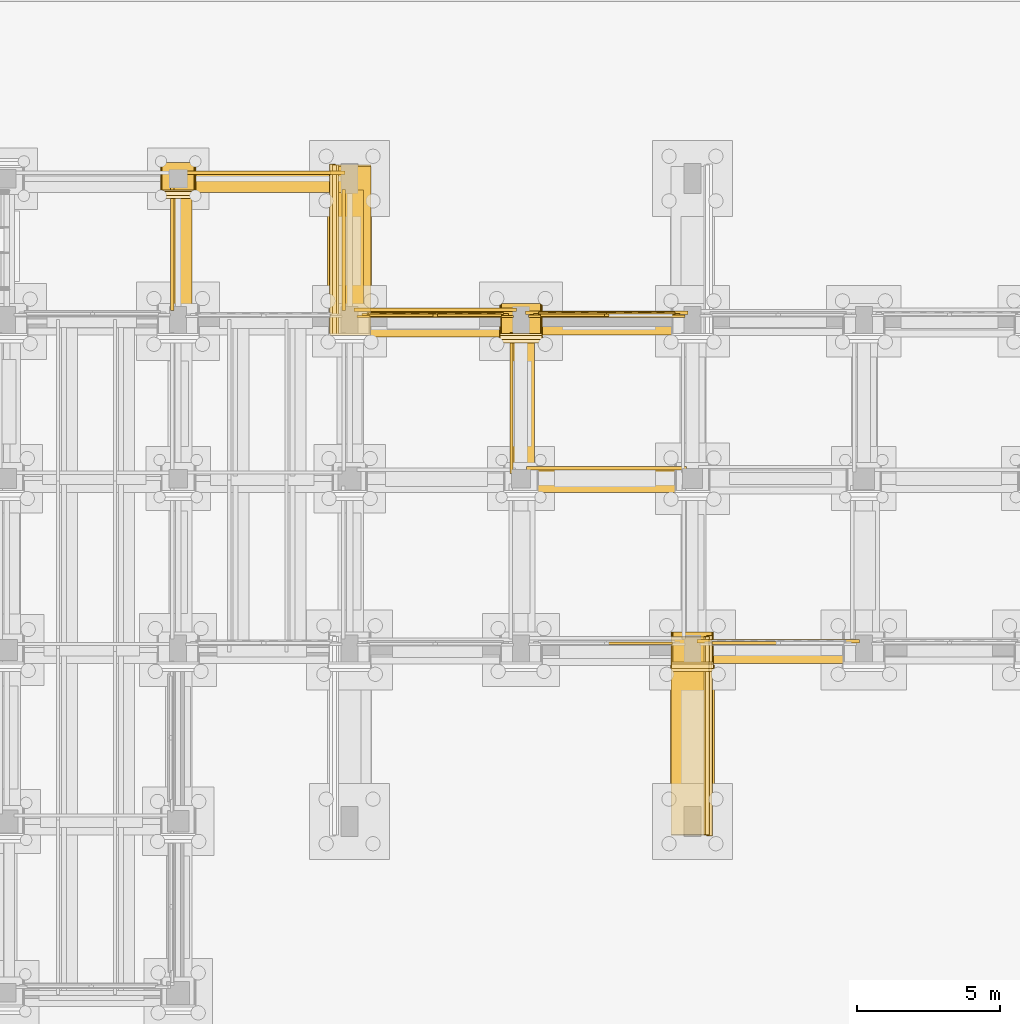
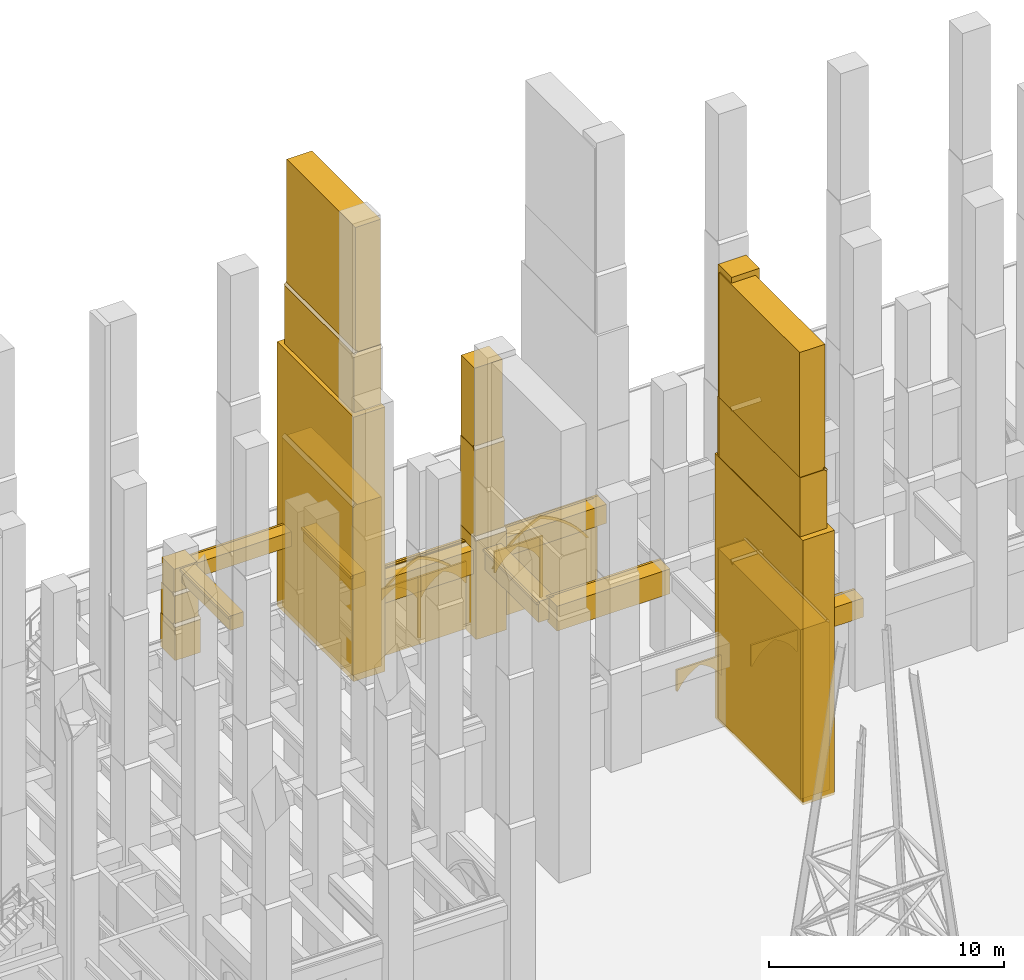
# One storey, part 115 of 135: 56 coverings.
"""IFC4 building model written with IfcOpenShell, lengths in metres."""

from ifc_helpers import new_model, si_unit, direction, frame, origin, origin_2d, place, context, subcontext, project, spatial, polyline, rectangle, outline, extrude, material, type_object, element, save


model = new_model("IFC4")

# Units and contexts
model_context = context("Model", 3, precision=1e-05, world=origin(), true_north=direction((0.0, 1.0)))
body_context = subcontext(model_context, "Body", "Model", "MODEL_VIEW")
ifc_project = project(units=[si_unit("LENGTHUNIT", "METRE"), si_unit("AREAUNIT", "SQUARE_METRE"), si_unit("VOLUMEUNIT", "CUBIC_METRE"), si_unit("PLANEANGLEUNIT", "RADIAN"), si_unit("MASSUNIT", "GRAM", prefix="KILO")], contexts=[model_context])

# Site, building, storey
site_placement = place(None, origin())
site = spatial("IfcSite", under=ifc_project, at=site_placement, CompositionType="ELEMENT")
building_placement = place(site_placement, origin())
building = spatial("IfcBuilding", under=site, at=building_placement, Name="Cumevento Cable Car Station", CompositionType="ELEMENT")
storey_placement = place(building_placement, origin())
storey = spatial("IfcBuildingStorey", under=building, at=storey_placement, Name="L01", CompositionType="ELEMENT", Elevation=0.0)

# Coverings
ifc_material = material(Name="Gnaisse Facoidal Stone Ashlar 85 MPa", Category="masonry")
covering_type = type_object("IfcCoveringType", Name="Gnaisse Ashlar Cladding CV-CL01", PredefinedType="CLADDING", material=ifc_material)
covering_1_placement = place(storey_placement, frame((82.0, 61.43994140625, -0.06005859375), z_axis=(0.0, 0.0, 1.0), x_axis=(1.0, 0.0, 0.0)))
element("IfcCovering", 1, at=covering_1_placement, inside=storey, type_object=covering_type, Name="Stepped Gothic Stone Buttress Tier 1 bt:82.0:61.5", PredefinedType="CLADDING", context=body_context, shape_type="SweptSolid", body=[
    extrude(rectangle(XDim=1.239990234375, YDim=1.239990234375, at=origin_2d()), origin(), (0.0, 0.0, 1.0), 1.755615234375),
])
covering_2_placement = place(storey_placement, frame((81.360107421875, 60.800048828125, 1.675537109375), z_axis=(0.0, -0.714474823669, 0.699661151089), x_axis=(1.0, 0.0, 0.0)))
element("IfcCovering", 2, at=covering_2_placement, inside=storey, type_object=covering_type, Name="Gothic Buttress Sloped Stone Weathering 1 bt:82.0:61.5", PredefinedType="CLADDING", context=body_context, shape_type="SweptSolid", body=[
    extrude(outline(polyline([(0.0, 0.0), (1.27978515625, 0.0), (1.27978515625, 0.21424991728737658), (0.0, 0.21424991728737658), (0.0, 0.0)])), origin(), (0.0, 0.0, -1.0), 0.090087890625),
])
covering_3_placement = place(storey_placement, frame((82.0, 61.489990234375, 1.603271484375), z_axis=(0.0, 0.0, 1.0), x_axis=(1.0, 0.0, 0.0)))
element("IfcCovering", 3, at=covering_3_placement, inside=storey, type_object=covering_type, Name="Stepped Gothic Stone Buttress Tier 2 bt:82.0:61.5", PredefinedType="CLADDING", context=body_context, shape_type="SweptSolid", body=[
    extrude(rectangle(XDim=1.179931640625, YDim=1.139892578125, at=origin_2d()), origin(), (0.0, 0.0, 1.0), 1.6630859375),
])
covering_4_placement = place(storey_placement, frame((81.389892578125, 60.89990234375, 3.246337890625), z_axis=(0.0, -0.715574205881, 0.698536724788), x_axis=(1.0, 0.0, 0.0)))
element("IfcCovering", 4, at=covering_4_placement, inside=storey, type_object=covering_type, Name="Gothic Buttress Sloped Stone Weathering 2 bt:82.0:61.5", PredefinedType="CLADDING", context=body_context, shape_type="SweptSolid", body=[
    extrude(outline(polyline([(0.0, 0.0), (1.22021484375, 0.0), (1.22021484375, 0.2006146760464928), (0.0, 0.2006146760464928), (0.0, 0.0)])), origin(), (0.0, 0.0, -1.0), 0.090087890625),
])
covering_5_placement = place(storey_placement, frame((82.0, 61.534912109375, 3.173828125), z_axis=(0.0, 0.0, 1.0), x_axis=(1.0, 0.0, 0.0)))
element("IfcCovering", 5, at=covering_5_placement, inside=storey, type_object=covering_type, Name="Stepped Gothic Stone Buttress Tier 3 bt:82.0:61.5", PredefinedType="CLADDING", context=body_context, shape_type="SweptSolid", body=[
    extrude(rectangle(XDim=1.1201171875, YDim=1.050048828125, at=origin_2d()), origin(), (0.0, 0.0, 1.0), 1.385986328125),
])
covering_6_placement = place(storey_placement, frame((94.0, 56.4423828125, -0.06005859375), z_axis=(0.0, 0.0, 1.0), x_axis=(1.0, 0.0, 0.0)))
element("IfcCovering", 6, at=covering_6_placement, inside=storey, type_object=covering_type, Name="Stepped Gothic Stone Buttress Tier 1 bt:94.0:56.5", PredefinedType="CLADDING", context=body_context, shape_type="SweptSolid", body=[
    extrude(rectangle(XDim=1.489990234375, YDim=1.364990234375, at=origin_2d()), origin(), (0.0, 0.0, 1.0), 5.175537109375),
])
covering_7_placement = place(storey_placement, frame((93.235107421875, 55.739990234375, 5.095703125), z_axis=(0.0, -0.711135781079, 0.703054692658), x_axis=(1.0, 0.0, 0.0)))
element("IfcCovering", 7, at=covering_7_placement, inside=storey, type_object=covering_type, Name="Gothic Buttress Sloped Stone Weathering 1 bt:94.0:56.5", PredefinedType="CLADDING", context=body_context, shape_type="SweptSolid", body=[
    extrude(outline(polyline([(0.0, 0.0), (1.52978515625, 0.0), (1.52978515625, 0.24169083397703695), (0.0, 0.24169083397703695), (0.0, 0.0)])), origin(), (0.0, 0.0, -1.0), 0.090087890625),
])
covering_8_placement = place(storey_placement, frame((94.0, 56.50244140625, 4.84326171875), z_axis=(0.0, 0.0, 1.0), x_axis=(1.0, 0.0, 0.0)))
element("IfcCovering", 8, at=covering_8_placement, inside=storey, type_object=covering_type, Name="Stepped Gothic Stone Buttress Tier 2 bt:94.0:56.5", PredefinedType="CLADDING", context=body_context, shape_type="SweptSolid", body=[
    extrude(rectangle(XDim=1.429931640625, YDim=1.2451171875, at=origin_2d()), origin(), (0.0, 0.0, 1.0), 4.9033203125),
])
covering_9_placement = place(storey_placement, frame((93.264892578125, 55.860107421875, 9.726318359375), z_axis=(0.0, -0.714474823669, 0.699661151089), x_axis=(1.0, 0.0, 0.0)))
element("IfcCovering", 9, at=covering_9_placement, inside=storey, type_object=covering_type, Name="Gothic Buttress Sloped Stone Weathering 2 bt:94.0:56.5", PredefinedType="CLADDING", context=body_context, shape_type="SweptSolid", body=[
    extrude(outline(polyline([(0.0, 0.0), (1.47021484375, 0.0), (1.47021484375, 0.21424991728737658), (0.0, 0.21424991728737658), (0.0, 0.0)])), origin(), (0.0, 0.0, -1.0), 0.090087890625),
])
covering_10_placement = place(storey_placement, frame((94.0, 56.552490234375, 9.47412109375), z_axis=(0.0, 0.0, 1.0), x_axis=(1.0, 0.0, 0.0)))
element("IfcCovering", 10, at=covering_10_placement, inside=storey, type_object=covering_type, Name="Stepped Gothic Stone Buttress Tier 3 bt:94.0:56.5", PredefinedType="CLADDING", context=body_context, shape_type="SweptSolid", body=[
    extrude(rectangle(XDim=1.3701171875, YDim=1.14501953125, at=origin_2d()), origin(), (0.0, 0.0, 1.0), 4.426025390625),
])
covering_11_placement = place(storey_placement, frame((100.0, 44.9423828125, -0.06005859375), z_axis=(0.0, 0.0, 1.0), x_axis=(1.0, 0.0, 0.0)))
element("IfcCovering", 11, at=covering_11_placement, inside=storey, type_object=covering_type, Name="Stepped Gothic Stone Buttress Tier 1 bt:100.0:45.0", PredefinedType="CLADDING", context=body_context, shape_type="SweptSolid", body=[
    extrude(rectangle(XDim=1.489990234375, YDim=1.364990234375, at=origin_2d()), origin(), (0.0, 0.0, 1.0), 8.823486328125),
])
covering_12_placement = place(storey_placement, frame((99.235107421875, 44.239990234375, 8.74365234375), z_axis=(0.0, -0.711135781079, 0.703054692658), x_axis=(1.0, 0.0, 0.0)))
element("IfcCovering", 12, at=covering_12_placement, inside=storey, type_object=covering_type, Name="Gothic Buttress Sloped Stone Weathering 1 bt:100.0:45.0", PredefinedType="CLADDING", context=body_context, shape_type="SweptSolid", body=[
    extrude(outline(polyline([(0.0, 0.0), (1.52978515625, 0.0), (1.52978515625, 0.24169083397703695), (0.0, 0.24169083397703695), (0.0, 0.0)])), origin(), (0.0, 0.0, -1.0), 0.090087890625),
])
covering_13_placement = place(storey_placement, frame((100.0, 45.00244140625, 8.29931640625), z_axis=(0.0, 0.0, 1.0), x_axis=(1.0, 0.0, 0.0)))
element("IfcCovering", 13, at=covering_13_placement, inside=storey, type_object=covering_type, Name="Stepped Gothic Stone Buttress Tier 2 bt:100.0:45.0", PredefinedType="CLADDING", context=body_context, shape_type="SweptSolid", body=[
    extrude(rectangle(XDim=1.429931640625, YDim=1.2451171875, at=origin_2d()), origin(), (0.0, 0.0, 1.0), 8.359130859375),
])
covering_14_placement = place(storey_placement, frame((99.264892578125, 44.360107421875, 16.638427734375), z_axis=(0.0, -0.714474823669, 0.699661151089), x_axis=(1.0, 0.0, 0.0)))
element("IfcCovering", 14, at=covering_14_placement, inside=storey, type_object=covering_type, Name="Gothic Buttress Sloped Stone Weathering 2 bt:100.0:45.0", PredefinedType="CLADDING", context=body_context, shape_type="SweptSolid", body=[
    extrude(outline(polyline([(0.0, 0.0), (1.47021484375, 0.0), (1.47021484375, 0.21424991728737658), (0.0, 0.21424991728737658), (0.0, 0.0)])), origin(), (0.0, 0.0, -1.0), 0.090087890625),
])
covering_15_placement = place(storey_placement, frame((100.0, 45.052490234375, 16.19384765625), z_axis=(0.0, 0.0, 1.0), x_axis=(1.0, 0.0, 0.0)))
element("IfcCovering", 15, at=covering_15_placement, inside=storey, type_object=covering_type, Name="Stepped Gothic Stone Buttress Tier 3 bt:100.0:45.0", PredefinedType="CLADDING", context=body_context, shape_type="SweptSolid", body=[
    extrude(rectangle(XDim=1.3701171875, YDim=1.14501953125, at=origin_2d()), origin(), (0.0, 0.0, 1.0), 7.305908203125),
])
covering_16_placement = place(storey_placement, frame((103.0, 44.89990234375, 3.5400390625), z_axis=(0.0, 0.0, 1.0), x_axis=(1.0, 0.0, 0.0)))
element("IfcCovering", 16, at=covering_16_placement, inside=storey, type_object=covering_type, Name="Gothic Stone Spandrel Stringcourse sc:0137", PredefinedType="CLADDING", context=body_context, shape_type="SweptSolid", body=[
    extrude(rectangle(XDim=5.639892578125, YDim=0.760009765625, at=origin_2d()), origin(), (0.0, 0.0, 1.0), 0.989990234375),
])
covering_17_placement = place(storey_placement, frame((103.0, 45.3076171875, 4.400146484375), z_axis=(0.0, 0.0, 1.0), x_axis=(1.0, 0.0, 0.0)))
element("IfcCovering", 17, at=covering_17_placement, inside=storey, type_object=covering_type, Name="Gothic Cornice Dripstone Lip sc:0137", PredefinedType="CLADDING", context=body_context, shape_type="SweptSolid", body=[
    extrude(rectangle(XDim=5.679931640625, YDim=0.114990234375, at=origin_2d()), origin(), (0.0, 0.0, 1.0), 0.1298828125),
])
covering_18_placement = place(storey_placement, frame((96.987548828125, 50.919921875, 3.239990234375), z_axis=(0.0, 0.0, 1.0), x_axis=(1.0, 0.0, 0.0)))
element("IfcCovering", 18, at=covering_18_placement, inside=storey, type_object=covering_type, Name="Gothic Stone Spandrel Stringcourse sc:0141", PredefinedType="CLADDING", context=body_context, shape_type="SweptSolid", body=[
    extrude(rectangle(XDim=5.56494140625, YDim=0.820068359375, at=origin_2d()), origin(), (0.0, 0.0, 1.0), 1.2900390625),
])
covering_19_placement = place(storey_placement, frame((96.987548828125, 51.357421875, 4.400146484375), z_axis=(0.0, 0.0, 1.0), x_axis=(1.0, 0.0, 0.0)))
element("IfcCovering", 19, at=covering_19_placement, inside=storey, type_object=covering_type, Name="Gothic Cornice Dripstone Lip sc:0141", PredefinedType="CLADDING", context=body_context, shape_type="SweptSolid", body=[
    extrude(rectangle(XDim=5.60498046875, YDim=0.114990234375, at=origin_2d()), origin(), (0.0, 0.0, 1.0), 0.1298828125),
])
covering_20_placement = place(storey_placement, frame((91.0, 56.419921875, 3.25), z_axis=(0.0, 0.0, 1.0), x_axis=(1.0, 0.0, 0.0)))
element("IfcCovering", 20, at=covering_20_placement, inside=storey, type_object=covering_type, Name="Gothic Stone Spandrel Stringcourse sc:0145", PredefinedType="CLADDING", context=body_context, shape_type="SweptSolid", body=[
    extrude(rectangle(XDim=5.639892578125, YDim=0.919921875, at=origin_2d()), origin(), (0.0, 0.0, 1.0), 1.239990234375),
])
covering_21_placement = place(storey_placement, frame((91.0, 56.907470703125, 4.360107421875), z_axis=(0.0, 0.0, 1.0), x_axis=(1.0, 0.0, 0.0)))
element("IfcCovering", 21, at=covering_21_placement, inside=storey, type_object=covering_type, Name="Gothic Cornice Dripstone Lip sc:0145", PredefinedType="CLADDING", context=body_context, shape_type="SweptSolid", body=[
    extrude(rectangle(XDim=5.679931640625, YDim=0.114990234375, at=origin_2d()), origin(), (0.0, 0.0, 1.0), 0.1298828125),
])
covering_22_placement = place(storey_placement, frame((97.0, 56.39990234375, 3.5400390625), z_axis=(0.0, 0.0, 1.0), x_axis=(1.0, 0.0, 0.0)))
element("IfcCovering", 22, at=covering_22_placement, inside=storey, type_object=covering_type, Name="Gothic Stone Spandrel Stringcourse sc:0146", PredefinedType="CLADDING", context=body_context, shape_type="SweptSolid", body=[
    extrude(rectangle(XDim=5.639892578125, YDim=0.760009765625, at=origin_2d()), origin(), (0.0, 0.0, 1.0), 0.989990234375),
])
covering_23_placement = place(storey_placement, frame((97.0, 56.8076171875, 4.400146484375), z_axis=(0.0, 0.0, 1.0), x_axis=(1.0, 0.0, 0.0)))
element("IfcCovering", 23, at=covering_23_placement, inside=storey, type_object=covering_type, Name="Gothic Cornice Dripstone Lip sc:0146", PredefinedType="CLADDING", context=body_context, shape_type="SweptSolid", body=[
    extrude(rectangle(XDim=5.679931640625, YDim=0.114990234375, at=origin_2d()), origin(), (0.0, 0.0, 1.0), 0.1298828125),
])
covering_24_placement = place(storey_placement, frame((94.08740234375, 53.64990234375, 3.43994140625), z_axis=(0.0, 0.0, 1.0), x_axis=(0.0, 1.0, 0.0)))
element("IfcCovering", 24, at=covering_24_placement, inside=storey, type_object=covering_type, Name="Gothic Stone Spandrel Stringcourse sc:0151", PredefinedType="CLADDING", context=body_context, shape_type="SweptSolid", body=[
    extrude(rectangle(XDim=4.889892578125, YDim=0.784912109375, at=origin_2d()), origin(), (0.0, 0.0, 1.0), 1.090087890625),
])
covering_25_placement = place(storey_placement, frame((93.66748046875, 53.64990234375, 4.400146484375), z_axis=(0.0, 0.0, 1.0), x_axis=(0.0, 1.0, 0.0)))
element("IfcCovering", 25, at=covering_25_placement, inside=storey, type_object=covering_type, Name="Gothic Cornice Dripstone Lip sc:0151", PredefinedType="CLADDING", context=body_context, shape_type="SweptSolid", body=[
    extrude(rectangle(XDim=4.929931640625, YDim=0.114990234375, at=origin_2d()), origin(), (0.0, 0.0, 1.0), 0.1298828125),
])
covering_26_placement = place(storey_placement, frame((85.012451171875, 61.35009765625, 3.73291015625), z_axis=(0.0, 0.0, 1.0), x_axis=(1.0, 0.0, 0.0)))
element("IfcCovering", 26, at=covering_26_placement, inside=storey, type_object=covering_type, Name="Gothic Stone Spandrel Stringcourse sc:0844", PredefinedType="CLADDING", context=body_context, shape_type="SweptSolid", body=[
    extrude(rectangle(XDim=5.614990234375, YDim=0.659912109375, at=origin_2d()), origin(), (0.0, 0.0, 1.0), 0.7470703125),
])
covering_27_placement = place(storey_placement, frame((85.012451171875, 61.70751953125, 4.35009765625), z_axis=(0.0, 0.0, 1.0), x_axis=(1.0, 0.0, 0.0)))
element("IfcCovering", 27, at=covering_27_placement, inside=storey, type_object=covering_type, Name="Gothic Cornice Dripstone Lip sc:0844", PredefinedType="CLADDING", context=body_context, shape_type="SweptSolid", body=[
    extrude(rectangle(XDim=5.655029296875, YDim=0.114990234375, at=origin_2d()), origin(), (0.0, 0.0, 1.0), 0.1298828125),
])
covering_28_placement = place(storey_placement, frame((82.14990234375, 59.10009765625, 3.73291015625), z_axis=(0.0, 0.0, 1.0), x_axis=(0.0, 1.0, 0.0)))
element("IfcCovering", 28, at=covering_28_placement, inside=storey, type_object=covering_type, Name="Gothic Stone Spandrel Stringcourse sc:0846", PredefinedType="CLADDING", context=body_context, shape_type="SweptSolid", body=[
    extrude(rectangle(XDim=4.389892578125, YDim=0.659912109375, at=origin_2d()), origin(), (0.0, 0.0, 1.0), 0.7470703125),
])
covering_29_placement = place(storey_placement, frame((81.79248046875, 59.10009765625, 4.35009765625), z_axis=(0.0, 0.0, 1.0), x_axis=(0.0, 1.0, 0.0)))
element("IfcCovering", 29, at=covering_29_placement, inside=storey, type_object=covering_type, Name="Gothic Cornice Dripstone Lip sc:0846", PredefinedType="CLADDING", context=body_context, shape_type="SweptSolid", body=[
    extrude(rectangle(XDim=4.429931640625, YDim=0.114990234375, at=origin_2d()), origin(), (0.0, 0.0, 1.0), 0.1298828125),
])
covering_30_placement = place(storey_placement, frame((88.14990234375, 59.0, 3.73291015625), z_axis=(0.0, 0.0, 1.0), x_axis=(0.0, 1.0, 0.0)))
element("IfcCovering", 30, at=covering_30_placement, inside=storey, type_object=covering_type, Name="Gothic Stone Spandrel Stringcourse sc:0847", PredefinedType="CLADDING", context=body_context, shape_type="SweptSolid", body=[
    extrude(rectangle(XDim=4.18994140625, YDim=0.659912109375, at=origin_2d()), origin(), (0.0, 0.0, 1.0), 0.7470703125),
])
covering_31_placement = place(storey_placement, frame((87.79248046875, 59.0, 4.35009765625), z_axis=(0.0, 0.0, 1.0), x_axis=(0.0, 1.0, 0.0)))
element("IfcCovering", 31, at=covering_31_placement, inside=storey, type_object=covering_type, Name="Gothic Cornice Dripstone Lip sc:0847", PredefinedType="CLADDING", context=body_context, shape_type="SweptSolid", body=[
    extrude(rectangle(XDim=4.22998046875, YDim=0.114990234375, at=origin_2d()), origin(), (0.0, 0.0, 1.0), 0.1298828125),
])
covering_32_placement = place(storey_placement, frame((88.0, 59.0, -0.125), z_axis=(0.0, 0.0, 1.0), x_axis=(1.0, 0.0, 0.0)))
element("IfcCovering", 32, at=covering_32_placement, inside=storey, type_object=covering_type, Name="Cabin Portal Flanking Stone Tower Base #1", PredefinedType="CLADDING", context=body_context, shape_type="SweptSolid", body=[
    extrude(rectangle(XDim=1.550048828125, YDim=6.5, at=origin_2d()), origin(), (0.0, 0.0, 1.0), 13.75),
])
covering_33_placement = place(storey_placement, frame((88.034912109375, 59.0, 0.0), z_axis=(0.0, 0.0, 1.0), x_axis=(0.0, -1.0, 0.0)))
element("IfcCovering", 33, at=covering_33_placement, inside=storey, type_object=covering_type, Name="Stepped Gothic Stone Buttress Tier 1 ptl_butt_s:1:88", PredefinedType="CLADDING", context=body_context, shape_type="SweptSolid", body=[
    extrude(rectangle(XDim=5.97998046875, YDim=1.429931640625, at=origin_2d()), origin(), (0.0, 0.0, 1.0), 8.81591796875),
])
covering_34_placement = place(storey_placement, frame((87.300048828125, 62.010009765625, 8.7958984375), z_axis=(-0.714474823669, 0.0, 0.699661151089), x_axis=(0.0, -1.0, 0.0)))
element("IfcCovering", 34, at=covering_34_placement, inside=storey, type_object=covering_type, Name="Gothic Buttress Sloped Stone Weathering 1 ptl_butt_s:1:88", PredefinedType="CLADDING", context=body_context, shape_type="SweptSolid", body=[
    extrude(outline(polyline([(0.0, 0.0), (6.02001953125, 0.0), (6.02001953125, 0.21424991728737658), (0.0, 0.21424991728737658), (0.0, 0.0)])), origin(), (0.0, 0.0, -1.0), 0.090087890625),
])
covering_35_placement = place(storey_placement, frame((88.0849609375, 59.0, 8.35205078125), z_axis=(0.0, 0.0, 1.0), x_axis=(0.0, -1.0, 0.0)))
element("IfcCovering", 35, at=covering_35_placement, inside=storey, type_object=covering_type, Name="Stepped Gothic Stone Buttress Tier 2 ptl_butt_s:1:88", PredefinedType="CLADDING", context=body_context, shape_type="SweptSolid", body=[
    extrude(rectangle(XDim=5.919921875, YDim=1.330078125, at=origin_2d()), origin(), (0.0, 0.0, 1.0), 8.35205078125),
])
covering_36_placement = place(storey_placement, frame((87.39990234375, 61.97998046875, 16.68408203125), z_axis=(-0.714979608129, 0.0, 0.699145306757), x_axis=(0.0, -1.0, 0.0)))
element("IfcCovering", 36, at=covering_36_placement, inside=storey, type_object=covering_type, Name="Gothic Buttress Sloped Stone Weathering 2 ptl_butt_s:1:88", PredefinedType="CLADDING", context=body_context, shape_type="SweptSolid", body=[
    extrude(outline(polyline([(0.0, 0.0), (5.9599609375, 0.0), (5.9599609375, 0.20044004786376446), (0.0, 0.20044004786376446), (0.0, 0.0)])), origin(), (0.0, 0.0, -1.0), 0.090087890625),
])
covering_37_placement = place(storey_placement, frame((88.1298828125, 59.0, 16.239990234375), z_axis=(0.0, 0.0, 1.0), x_axis=(0.0, -1.0, 0.0)))
element("IfcCovering", 37, at=covering_37_placement, inside=storey, type_object=covering_type, Name="Stepped Gothic Stone Buttress Tier 3 ptl_butt_s:1:88", PredefinedType="CLADDING", context=body_context, shape_type="SweptSolid", body=[
    extrude(rectangle(XDim=5.860107421875, YDim=1.239990234375, at=origin_2d()), origin(), (0.0, 0.0, 1.0), 6.9599609375),
])
covering_38_placement = place(storey_placement, frame((100.0, 42.0, -0.125), z_axis=(0.0, 0.0, 1.0), x_axis=(1.0, 0.0, 0.0)))
element("IfcCovering", 38, at=covering_38_placement, inside=storey, type_object=covering_type, Name="Cabin Portal Flanking Stone Tower Base #2", PredefinedType="CLADDING", context=body_context, shape_type="SweptSolid", body=[
    extrude(rectangle(XDim=1.550048828125, YDim=7.5, at=origin_2d()), origin(), (0.0, 0.0, 1.0), 13.75),
])
covering_39_placement = place(storey_placement, frame((99.965087890625, 42.0, 0.0), z_axis=(0.0, 0.0, 1.0), x_axis=(0.0, 1.0, 0.0)))
element("IfcCovering", 39, at=covering_39_placement, inside=storey, type_object=covering_type, Name="Stepped Gothic Stone Buttress Tier 1 ptl_butt_s:2:100", PredefinedType="CLADDING", context=body_context, shape_type="SweptSolid", body=[
    extrude(rectangle(XDim=6.97998046875, YDim=1.429931640625, at=origin_2d()), origin(), (0.0, 0.0, 1.0), 8.81591796875),
])
covering_40_placement = place(storey_placement, frame((100.699951171875, 38.489990234375, 8.7958984375), z_axis=(0.714474823669, 0.0, 0.699661151089), x_axis=(0.0, 1.0, 0.0)))
element("IfcCovering", 40, at=covering_40_placement, inside=storey, type_object=covering_type, Name="Gothic Buttress Sloped Stone Weathering 1 ptl_butt_s:2:100", PredefinedType="CLADDING", context=body_context, shape_type="SweptSolid", body=[
    extrude(outline(polyline([(0.0, 0.0), (7.02001953125, 0.0), (7.02001953125, 0.21424991728737655), (0.0, 0.21424991728737655), (0.0, 0.0)])), origin(), (0.0, 0.0, -1.0), 0.090087890625),
])
covering_41_placement = place(storey_placement, frame((99.9150390625, 42.0, 8.35205078125), z_axis=(0.0, 0.0, 1.0), x_axis=(0.0, 1.0, 0.0)))
element("IfcCovering", 41, at=covering_41_placement, inside=storey, type_object=covering_type, Name="Stepped Gothic Stone Buttress Tier 2 ptl_butt_s:2:100", PredefinedType="CLADDING", context=body_context, shape_type="SweptSolid", body=[
    extrude(rectangle(XDim=6.919921875, YDim=1.330078125, at=origin_2d()), origin(), (0.0, 0.0, 1.0), 8.35205078125),
])
covering_42_placement = place(storey_placement, frame((100.60009765625, 38.52001953125, 16.68408203125), z_axis=(0.714979608129, 0.0, 0.699145306757), x_axis=(0.0, 1.0, 0.0)))
element("IfcCovering", 42, at=covering_42_placement, inside=storey, type_object=covering_type, Name="Gothic Buttress Sloped Stone Weathering 2 ptl_butt_s:2:100", PredefinedType="CLADDING", context=body_context, shape_type="SweptSolid", body=[
    extrude(outline(polyline([(0.0, 0.0), (6.9599609375, 0.0), (6.9599609375, 0.20044004786376446), (0.0, 0.20044004786376446), (0.0, 0.0)])), origin(), (0.0, 0.0, -1.0), 0.090087890625),
])
covering_43_placement = place(storey_placement, frame((99.8701171875, 42.0, 16.239990234375), z_axis=(0.0, 0.0, 1.0), x_axis=(0.0, 1.0, 0.0)))
element("IfcCovering", 43, at=covering_43_placement, inside=storey, type_object=covering_type, Name="Stepped Gothic Stone Buttress Tier 3 ptl_butt_s:2:100", PredefinedType="CLADDING", context=body_context, shape_type="SweptSolid", body=[
    extrude(rectangle(XDim=6.860107421875, YDim=1.239990234375, at=origin_2d()), origin(), (0.0, 0.0, 1.0), 6.9599609375),
])
covering_44_placement = place(storey_placement, frame((97.044921875, 45.0, 2.340087890625), z_axis=(0.0, 0.0, 1.0), x_axis=(1.0, 0.0, 0.0)))
element("IfcCovering", 44, at=covering_44_placement, inside=storey, type_object=covering_type, Name="Gothic Ogival Pointed-Arch Stone Spandrel blind_ogival:0038:sub:1", PredefinedType="CLADDING", context=body_context, shape_type="SweptSolid", body=[
    extrude(outline(polyline([(-0.02001953125, 0.0), (-0.02001953125, 1.115966796875), (2.264892578125, 1.115966796875), (2.264892578125, 0.0), (2.205078125, 0.0), (2.076171875, 0.214111328125), (1.923828125, 0.412109375), (1.75, 0.591552734375), (1.556640625, 0.75), (1.3466796875, 0.88525390625), (1.12255859375, 0.99609375), (0.8984375, 0.88525390625), (0.6884765625, 0.75), (0.4951171875, 0.591552734375), (0.3212890625, 0.412109375), (0.1689453125, 0.214111328125), (0.0400390625, 0.0), (-0.02001953125, 0.0)])), frame((0.0, 0.276611328125, 0.0), z_axis=(0.0, -1.0, 0.0), x_axis=(1.0, 0.0, 0.0)), (0.0, 0.0, 1.0), 0.090087890625),
])
covering_45_placement = place(storey_placement, frame((100.7099609375, 45.0, 2.340087890625), z_axis=(0.0, 0.0, 1.0), x_axis=(1.0, 0.0, 0.0)))
element("IfcCovering", 45, at=covering_45_placement, inside=storey, type_object=covering_type, Name="Gothic Ogival Pointed-Arch Stone Spandrel blind_ogival:0039:sub:0", PredefinedType="CLADDING", context=body_context, shape_type="SweptSolid", body=[
    extrude(outline(polyline([(-0.02001953125, 0.0), (-0.02001953125, 1.115966796875), (2.264892578125, 1.115966796875), (2.264892578125, 0.0), (2.205078125, 0.0), (2.076171875, 0.214111328125), (1.923828125, 0.412109375), (1.75, 0.591552734375), (1.556640625, 0.75), (1.3466796875, 0.88525390625), (1.12255859375, 0.99609375), (0.8984375, 0.88525390625), (0.6884765625, 0.75), (0.4951171875, 0.591552734375), (0.3212890625, 0.412109375), (0.1689453125, 0.214111328125), (0.0400390625, 0.0), (-0.02001953125, 0.0)])), frame((0.0, 0.2890625, 0.0), z_axis=(0.0, -1.0, 0.0), x_axis=(1.0, 0.0, 0.0)), (0.0, 0.0, 1.0), 0.090087890625),
])
covering_46_placement = place(storey_placement, frame((88.300048828125, 56.5, 0.0), z_axis=(0.0, 0.0, 1.0), x_axis=(1.0, 0.0, 0.0)))
element("IfcCovering", 46, at=covering_46_placement, inside=storey, type_object=covering_type, Name="Exterior Gnaisse Stone Wall Ashlar #42", PredefinedType="CLADDING", context=body_context, shape_type="SweptSolid", body=[
    extrude(outline(polyline([(-0.0400390625, -0.02001953125), (5.43994140625, -0.02001953125), (5.43994140625, 4.52001953125), (-0.0400390625, 4.52001953125), (-0.0400390625, -0.02001953125)])), frame((0.0, 0.215087890625, 0.0), z_axis=(0.0, -1.0, 0.0), x_axis=(1.0, 0.0, 0.0)), (0.0, 0.0, 1.0), 0.0849609375),
])
placement_1 = place(storey_placement, frame((88.47998046875, 56.5, 0.300048828125), z_axis=(0.0, 0.0, 1.0), x_axis=(1.0, 0.0, 0.0)))
element("IfcCovering", 47, at=placement_1, inside=storey, type_object=covering_type, Name="Gothic Ogival Pointed-Arch Stone Spandrel blind_ogival:0042", PredefinedType="CLADDING", context=body_context, shape_type="SweptSolid", body=[
    extrude(outline(polyline([(-0.050048828125, 0.0), (-0.050048828125, 4.239990234375), (5.090087890625, 4.239990234375), (5.090087890625, 0.0), (4.780029296875, 0.0), (4.780029296875, 2.219970703125), (4.531982421875, 2.55810546875), (4.255126953125, 2.872802734375), (3.951416015625, 3.161865234375), (3.62353515625, 3.423095703125), (3.273681640625, 3.654296875), (2.905029296875, 3.853759765625), (2.52001953125, 4.02001953125), (2.135009765625, 3.853759765625), (1.766357421875, 3.654296875), (1.41650390625, 3.423095703125), (1.088623046875, 3.161865234375), (0.784912109375, 2.872802734375), (0.508056640625, 2.55810546875), (0.260009765625, 2.219970703125), (0.260009765625, 0.0), (-0.050048828125, 0.0)])), frame((0.0, 0.27001953125, 0.0), z_axis=(0.0, -1.0, 0.0), x_axis=(1.0, 0.0, 0.0)), (0.0, 0.0, 1.0), 0.110107421875),
])
covering_48_placement = place(storey_placement, frame((88.47998046875, 56.5, 2.52001953125), z_axis=(0.0, 0.0, 1.0), x_axis=(1.0, 0.0, 0.0)))
element("IfcCovering", 48, at=covering_48_placement, inside=storey, type_object=covering_type, Name="Gothic Pointed Archivolt Hood Moulding blind_ogival:0042", PredefinedType="CLADDING", context=body_context, shape_type="SweptSolid", body=[
    extrude(outline(polyline([(0.260009765625, 0.0), (0.508056640625, 0.338134765625), (0.784912109375, 0.65283203125), (1.088623046875, 0.94189453125), (1.41650390625, 1.203125), (1.766357421875, 1.434326171875), (2.135009765625, 1.6337890625), (2.52001953125, 1.800048828125), (2.905029296875, 1.6337890625), (3.273681640625, 1.434326171875), (3.62353515625, 1.203125), (3.951416015625, 0.94189453125), (4.255126953125, 0.65283203125), (4.531982421875, 0.338134765625), (4.780029296875, 0.0), (4.90087890625, 0.0), (4.6435546875, 0.365478515625), (4.354248046875, 0.706298828125), (4.03564453125, 1.01953125), (3.689697265625, 1.302978515625), (3.31982421875, 1.553955078125), (2.928955078125, 1.770751953125), (2.52001953125, 1.951171875), (2.111083984375, 1.770751953125), (1.72021484375, 1.553955078125), (1.350341796875, 1.302978515625), (1.00439453125, 1.01953125), (0.685791015625, 0.706298828125), (0.396484375, 0.365478515625), (0.138916015625, 0.0), (0.260009765625, 0.0)])), frame((0.0, 0.31201171875, 0.0), z_axis=(0.0, -1.0, 0.0), x_axis=(1.0, 0.0, 0.0)), (0.0, 0.0, 1.0), 0.06689453125),
])
element("IfcCovering", 49, at=placement_1, inside=storey, type_object=covering_type, Name="Gothic Bifora Stone Colonnette blind_ogival:0042 #1", PredefinedType="CLADDING", context=body_context, shape_type="SweptSolid", body=[
    extrude(outline(polyline([(2.445068359375, -0.02001953125), (2.594970703125, -0.02001953125), (2.594970703125, 3.156005859375), (2.445068359375, 3.156005859375), (2.445068359375, -0.02001953125)])), frame((0.0, 0.258056640625, 0.0), z_axis=(0.0, -1.0, 0.0), x_axis=(1.0, 0.0, 0.0)), (0.0, 0.0, 1.0), 0.094970703125),
])
for number, where, z_axis, x_axis, name in (
    (50, (88.7099609375, 56.5, 2.340087890625), (0.0, 0.0, 1.0), (1.0, 0.0, 0.0), "Gothic Ogival Pointed-Arch Stone Spandrel blind_ogival:0042:sub:0"),
    (51, (91.044921875, 56.5, 2.340087890625), (0.0, 0.0, 1.0), (1.0, 0.0, 0.0), "Gothic Ogival Pointed-Arch Stone Spandrel blind_ogival:0042:sub:1"),
):
    element("IfcCovering", number, at=place(storey_placement, frame(where, z_axis=z_axis, x_axis=x_axis)), inside=storey, type_object=covering_type, Name=name, PredefinedType="CLADDING", context=body_context, shape_type="SweptSolid", body=[
        extrude(outline(polyline([(-0.02001953125, 0.0), (-0.02001953125, 1.115966796875), (2.264892578125, 1.115966796875), (2.264892578125, 0.0), (2.205078125, 0.0), (2.076171875, 0.214111328125), (1.923828125, 0.412109375), (1.75, 0.591552734375), (1.556640625, 0.75), (1.3466796875, 0.88525390625), (1.12255859375, 0.99609375), (0.8984375, 0.88525390625), (0.6884765625, 0.75), (0.4951171875, 0.591552734375), (0.3212890625, 0.412109375), (0.1689453125, 0.214111328125), (0.0400390625, 0.0), (-0.02001953125, 0.0)])), frame((0.0, 0.25390625, 0.0), z_axis=(0.0, -1.0, 0.0), x_axis=(1.0, 0.0, 0.0)), (0.0, 0.0, 1.0), 0.090087890625),
    ])
covering_50_placement = place(storey_placement, frame((94.300048828125, 56.5, 0.0), z_axis=(0.0, 0.0, 1.0), x_axis=(1.0, 0.0, 0.0)))
element("IfcCovering", 52, at=covering_50_placement, inside=storey, type_object=covering_type, Name="Exterior Gnaisse Stone Wall Ashlar #43", PredefinedType="CLADDING", context=body_context, shape_type="SweptSolid", body=[
    extrude(outline(polyline([(-0.0400390625, -0.02001953125), (5.43994140625, -0.02001953125), (5.43994140625, 4.52001953125), (-0.0400390625, 4.52001953125), (-0.0400390625, -0.02001953125)])), frame((0.0, 0.22509765625, 0.0), z_axis=(0.0, -1.0, 0.0), x_axis=(1.0, 0.0, 0.0)), (0.0, 0.0, 1.0), 0.0849609375),
])
placement_2 = place(storey_placement, frame((94.47998046875, 56.5, 0.300048828125), z_axis=(0.0, 0.0, 1.0), x_axis=(1.0, 0.0, 0.0)))
element("IfcCovering", 53, at=placement_2, inside=storey, type_object=covering_type, Name="Gothic Ogival Pointed-Arch Stone Spandrel blind_ogival:0043", PredefinedType="CLADDING", context=body_context, shape_type="SweptSolid", body=[
    extrude(outline(polyline([(-0.050048828125, 0.0), (-0.050048828125, 4.239990234375), (5.090087890625, 4.239990234375), (5.090087890625, 0.0), (4.780029296875, 0.0), (4.780029296875, 2.219970703125), (4.531982421875, 2.55810546875), (4.255126953125, 2.872802734375), (3.951416015625, 3.161865234375), (3.62353515625, 3.423095703125), (3.273681640625, 3.654296875), (2.905029296875, 3.853759765625), (2.52001953125, 4.02001953125), (2.135009765625, 3.853759765625), (1.766357421875, 3.654296875), (1.41650390625, 3.423095703125), (1.088623046875, 3.161865234375), (0.784912109375, 2.872802734375), (0.508056640625, 2.55810546875), (0.260009765625, 2.219970703125), (0.260009765625, 0.0), (-0.050048828125, 0.0)])), frame((0.0, 0.280029296875, 0.0), z_axis=(0.0, -1.0, 0.0), x_axis=(1.0, 0.0, 0.0)), (0.0, 0.0, 1.0), 0.110107421875),
])
covering_52_placement = place(storey_placement, frame((94.47998046875, 56.5, 2.52001953125), z_axis=(0.0, 0.0, 1.0), x_axis=(1.0, 0.0, 0.0)))
element("IfcCovering", 54, at=covering_52_placement, inside=storey, type_object=covering_type, Name="Gothic Pointed Archivolt Hood Moulding blind_ogival:0043", PredefinedType="CLADDING", context=body_context, shape_type="SweptSolid", body=[
    extrude(outline(polyline([(0.260009765625, 0.0), (0.508056640625, 0.338134765625), (0.784912109375, 0.65283203125), (1.088623046875, 0.94189453125), (1.41650390625, 1.203125), (1.766357421875, 1.434326171875), (2.135009765625, 1.6337890625), (2.52001953125, 1.800048828125), (2.905029296875, 1.6337890625), (3.273681640625, 1.434326171875), (3.62353515625, 1.203125), (3.951416015625, 0.94189453125), (4.255126953125, 0.65283203125), (4.531982421875, 0.338134765625), (4.780029296875, 0.0), (4.90087890625, 0.0), (4.6435546875, 0.365478515625), (4.354248046875, 0.706298828125), (4.03564453125, 1.01953125), (3.689697265625, 1.302978515625), (3.31982421875, 1.553955078125), (2.928955078125, 1.770751953125), (2.52001953125, 1.951171875), (2.111083984375, 1.770751953125), (1.72021484375, 1.553955078125), (1.350341796875, 1.302978515625), (1.00439453125, 1.01953125), (0.685791015625, 0.706298828125), (0.396484375, 0.365478515625), (0.138916015625, 0.0), (0.260009765625, 0.0)])), frame((0.0, 0.322021484375, 0.0), z_axis=(0.0, -1.0, 0.0), x_axis=(1.0, 0.0, 0.0)), (0.0, 0.0, 1.0), 0.06689453125),
])
element("IfcCovering", 55, at=placement_2, inside=storey, type_object=covering_type, Name="Gothic Bifora Stone Colonnette blind_ogival:0043 #1", PredefinedType="CLADDING", context=body_context, shape_type="SweptSolid", body=[
    extrude(outline(polyline([(2.445068359375, -0.02001953125), (2.594970703125, -0.02001953125), (2.594970703125, 3.156005859375), (2.445068359375, 3.156005859375), (2.445068359375, -0.02001953125)])), frame((0.0, 0.26806640625, 0.0), z_axis=(0.0, -1.0, 0.0), x_axis=(1.0, 0.0, 0.0)), (0.0, 0.0, 1.0), 0.094970703125),
])
covering_54_placement = place(storey_placement, frame((94.7099609375, 56.5, 2.340087890625), z_axis=(0.0, 0.0, 1.0), x_axis=(1.0, 0.0, 0.0)))
element("IfcCovering", 56, at=covering_54_placement, inside=storey, type_object=covering_type, Name="Gothic Ogival Pointed-Arch Stone Spandrel blind_ogival:0043:sub:0", PredefinedType="CLADDING", context=body_context, shape_type="SweptSolid", body=[
    extrude(outline(polyline([(-0.02001953125, 0.0), (-0.02001953125, 1.115966796875), (2.264892578125, 1.115966796875), (2.264892578125, 0.0), (2.205078125, 0.0), (2.076171875, 0.214111328125), (1.923828125, 0.412109375), (1.75, 0.591552734375), (1.556640625, 0.75), (1.3466796875, 0.88525390625), (1.12255859375, 0.99609375), (0.8984375, 0.88525390625), (0.6884765625, 0.75), (0.4951171875, 0.591552734375), (0.3212890625, 0.412109375), (0.1689453125, 0.214111328125), (0.0400390625, 0.0), (-0.02001953125, 0.0)])), frame((0.0, 0.263916015625, 0.0), z_axis=(0.0, -1.0, 0.0), x_axis=(1.0, 0.0, 0.0)), (0.0, 0.0, 1.0), 0.090087890625),
])

save(model, "model.ifc")
